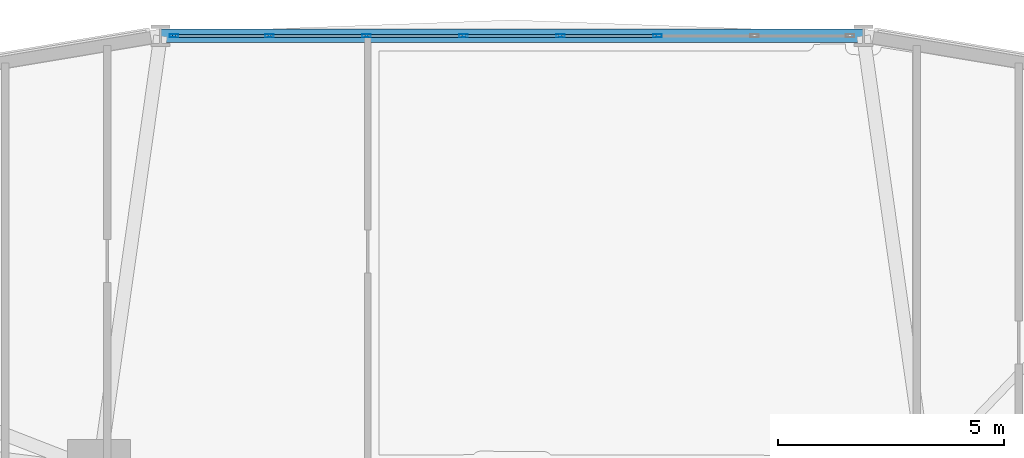
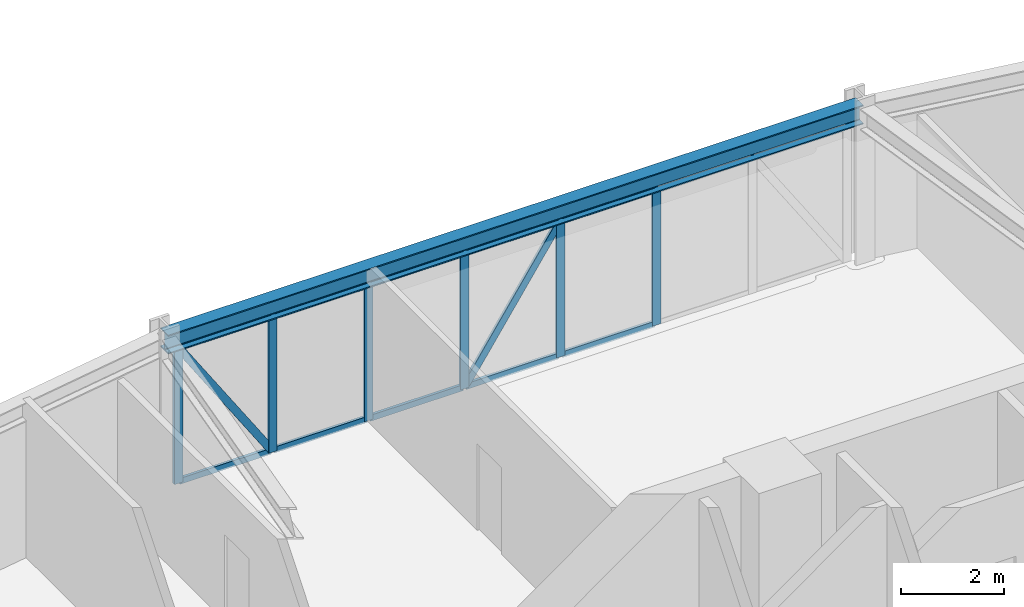
# One storey, part 12 of 22: 18 members, 1 beam, 1 element without a shape of its own.
"""IFC4 building model written with IfcOpenShell, lengths in metres."""

from ifc_helpers import new_model, si_unit, derived_unit, direction, frame, origin, origin_2d, place, context, subcontext, project, spatial, hollow_rectangle, i_section, extrude, source, transform, mapped, material, layer, layer_set, material_profile, profile_set, type_object, element, aggregate, save


model = new_model("IFC4")

# Units and contexts
model_context = context("Model", 3, precision=1e-05, world=origin(), true_north=direction((0.0, 1.0)))
body_context = subcontext(model_context, "Body", "Model", "MODEL_VIEW")
ifc_project = project(units=[si_unit("LENGTHUNIT", "METRE"), si_unit("AREAUNIT", "SQUARE_METRE"), si_unit("VOLUMEUNIT", "CUBIC_METRE"), si_unit("PLANEANGLEUNIT", "RADIAN"), si_unit("MASSUNIT", "GRAM", prefix="KILO"), derived_unit("THERMALTRANSMITTANCEUNIT", [(si_unit("POWERUNIT", "WATT"), 1), (si_unit("LENGTHUNIT", "METRE"), -2), (si_unit("THERMODYNAMICTEMPERATUREUNIT", "KELVIN"), -1)])], contexts=[model_context])

# Site, building, storey
site_placement = place(None, origin())
site = spatial("IfcSite", under=ifc_project, at=site_placement, CompositionType="ELEMENT")
building_placement = place(site_placement, origin())
building = spatial("IfcBuilding", under=site, at=building_placement, Name="Korsvarv Bourse and Concert Hall", CompositionType="ELEMENT")
storey_placement = place(building_placement, frame((0.0, 0.0, 51.300048828125)))
storey = spatial("IfcBuildingStorey", under=building, at=storey_placement, Name="L12", CompositionType="ELEMENT", Elevation=51.300048828125)

# Beam
ifc_material_1 = material(Name="Steel S355", Category="steel")
ifc_material_profile_1 = material_profile(ifc_material_1, i_section(OverallWidth=0.300048828125, OverallDepth=0.449951171875, WebThickness=0.013916015625, FlangeThickness=0.02587890625, FilletRadius=0.02099609375, at=origin_2d()), Name="HEB 450")
ifc_profile_set_1 = profile_set([ifc_material_profile_1], Name="Steel S355")
beam_type = type_object("IfcBeamType", Name="BM-HEB450", PredefinedType="SPANDREL", material=ifc_profile_set_1)
shared_shape_1 = source(origin(), body_context, "Body", "SweptSolid", [
    extrude(i_section(OverallWidth=0.300048828125, OverallDepth=0.449951171875, WebThickness=0.013916015625, FlangeThickness=0.02587890625, FilletRadius=0.02099609375, at=origin_2d()), origin(), (0.0, 0.0, 1.0), 15.5693359375),
])
beam_placement = place(storey_placement, frame((43.78466796875, 56.889404296875, 3.454833984375), z_axis=(-1.0, 0.0, 0.0), x_axis=(0.0, -1.0, 0.0)))
element("IfcBeam", 1, at=beam_placement, inside=storey, type_object=beam_type, Name="L12 beam B-08", PredefinedType="SPANDREL", context=body_context, shape_type="MappedRepresentation", body=[
    mapped(shared_shape_1, transform((0.0, 0.0, 0.0), scale=1.0)),
])

# Curtain wall, members
ifc_material_2 = material(Name="Anodised aluminium and triple low-E glazing", Category="glass")
ifc_layer = layer(ifc_material_2, 0.219970703125)
ifc_layer_set = layer_set([ifc_layer], Name="Anodised aluminium and triple low-E glazing")
curtain_wall_type = type_object("IfcCurtainWallType", Name="CW-SYS-1", PredefinedType="NOTDEFINED", material=ifc_layer_set)
curtain_wall_placement = place(storey_placement, origin())
curtain_wall = element("IfcCurtainWall", 2, at=curtain_wall_placement, inside=storey, type_object=curtain_wall_type, Name="L12 CW1 curtain wall CW-L12-F03", PredefinedType="NOTDEFINED")
ifc_material_3 = material(Name="Extruded aluminium EN AW-6063 T66", Category="aluminium")
ifc_material_profile_2 = material_profile(ifc_material_3, hollow_rectangle(XDim=0.070068359375, YDim=0.18994140625, WallThickness=0.0048828125, at=origin_2d()), Name="ALU-M 70x190")
ifc_profile_set_2 = profile_set([ifc_material_profile_2], Name="Extruded aluminium EN AW-6063 T66")
member_type_1 = type_object("IfcMemberType", Name="CWM-190", PredefinedType="MULLION", material=ifc_profile_set_2)
shared_shape_2 = source(origin(), body_context, "Body", "SweptSolid", [
    extrude(hollow_rectangle(XDim=0.070068359375, YDim=0.18994140625, WallThickness=0.0048828125, at=origin_2d()), origin(), (0.0, 0.0, 1.0), 3.22998046875),
])
member_1_placement = place(storey_placement, frame((39.22412109375, 56.889404296875, 0.0), z_axis=(0.0, 0.0, 1.0), x_axis=(0.0, -1.0, 0.0)))
member_1 = element("IfcMember", 3, at=member_1_placement, type_object=member_type_1, Name="CW1 mullion 3", PredefinedType="MULLION", context=body_context, shape_type="MappedRepresentation", body=[
    mapped(shared_shape_2, transform((0.0, 0.0, 0.0), scale=1.0)),
])
member_2_placement = place(storey_placement, frame((37.07470703125, 56.889404296875, 0.0), z_axis=(0.0, 0.0, 1.0), x_axis=(0.0, -1.0, 0.0)))
member_2 = element("IfcMember", 4, at=member_2_placement, type_object=member_type_1, Name="CW1 mullion 4", PredefinedType="MULLION", context=body_context, shape_type="MappedRepresentation", body=[
    mapped(shared_shape_2, transform((0.0, 0.0, 0.0), scale=1.0)),
])
member_3_placement = place(storey_placement, frame((34.92529296875, 56.889404296875, 0.0), z_axis=(0.0, 0.0, 1.0), x_axis=(0.0, -1.0, 0.0)))
member_3 = element("IfcMember", 5, at=member_3_placement, type_object=member_type_1, Name="CW1 mullion 5", PredefinedType="MULLION", context=body_context, shape_type="MappedRepresentation", body=[
    mapped(shared_shape_2, transform((0.0, 0.0, 0.0), scale=1.0)),
])
member_4_placement = place(storey_placement, frame((32.77587890625, 56.889404296875, 0.0), z_axis=(0.0, 0.0, 1.0), x_axis=(0.0, -1.0, 0.0)))
member_4 = element("IfcMember", 6, at=member_4_placement, type_object=member_type_1, Name="CW1 mullion 6", PredefinedType="MULLION", context=body_context, shape_type="MappedRepresentation", body=[
    mapped(shared_shape_2, transform((0.0, 0.0, 0.0), scale=1.0)),
])
member_5_placement = place(storey_placement, frame((30.626708984375, 56.889404296875, 0.0), z_axis=(0.0, 0.0, 1.0), x_axis=(0.0, -1.0, 0.0)))
member_5 = element("IfcMember", 7, at=member_5_placement, type_object=member_type_1, Name="CW1 mullion 7", PredefinedType="MULLION", context=body_context, shape_type="MappedRepresentation", body=[
    mapped(shared_shape_2, transform((0.0, 0.0, 0.0), scale=1.0)),
])
member_6_placement = place(storey_placement, frame((28.51220703125, 56.889404296875, 0.0), z_axis=(0.0, 0.0, 1.0), x_axis=(0.0, -1.0, 0.0)))
member_6 = element("IfcMember", 8, at=member_6_placement, type_object=member_type_1, Name="CW1 mullion 8", PredefinedType="MULLION", context=body_context, shape_type="MappedRepresentation", body=[
    mapped(shared_shape_2, transform((0.0, 0.0, 0.0), scale=1.0)),
])
ifc_material_profile_3 = material_profile(ifc_material_3, hollow_rectangle(XDim=0.06494140625, YDim=0.139892578125, WallThickness=0.00390625, at=origin_2d()), Name="ALU-T 65x140")
ifc_profile_set_3 = profile_set([ifc_material_profile_3], Name="Extruded aluminium EN AW-6063 T66")
member_type_2 = type_object("IfcMemberType", Name="CWT-140", PredefinedType="USERDEFINED", material=ifc_profile_set_3)
shared_shape_3 = source(origin(), body_context, "Body", "SweptSolid", [
    extrude(hollow_rectangle(XDim=0.06494140625, YDim=0.139892578125, WallThickness=0.00390625, at=origin_2d()), origin(), (0.0, 0.0, 1.0), 2.044189453125),
])
member_7_placement = place(storey_placement, frame((30.591552734375, 56.889404296875, 0.032470703125), z_axis=(-1.0, 0.0, 0.0), x_axis=(0.0, -1.0, 0.0)))
member_7 = element("IfcMember", 9, at=member_7_placement, type_object=member_type_2, Name="CW1 transom 7.1", ObjectType="TRANSOM", PredefinedType="USERDEFINED", context=body_context, shape_type="MappedRepresentation", body=[
    mapped(shared_shape_3, transform((0.0, 0.0, 0.0), scale=1.0)),
])
member_8_placement = place(storey_placement, frame((30.591552734375, 56.889404296875, 3.197509765625), z_axis=(-1.0, 0.0, 0.0), x_axis=(0.0, -1.0, 0.0)))
member_8 = element("IfcMember", 10, at=member_8_placement, type_object=member_type_2, Name="CW1 transom 7.2", ObjectType="TRANSOM", PredefinedType="USERDEFINED", context=body_context, shape_type="MappedRepresentation", body=[
    mapped(shared_shape_3, transform((0.0, 0.0, 0.0), scale=1.0)),
])
shared_shape_4 = source(origin(), body_context, "Body", "SweptSolid", [
    extrude(hollow_rectangle(XDim=0.06494140625, YDim=0.139892578125, WallThickness=0.00390625, at=origin_2d()), origin(), (0.0, 0.0, 1.0), 2.079345703125),
])
member_9_placement = place(storey_placement, frame((39.18896484375, 56.889404296875, 0.032470703125), z_axis=(-1.0, 0.0, 0.0), x_axis=(0.0, -1.0, 0.0)))
member_9 = element("IfcMember", 11, at=member_9_placement, type_object=member_type_2, Name="CW1 transom 3.1", ObjectType="TRANSOM", PredefinedType="USERDEFINED", context=body_context, shape_type="MappedRepresentation", body=[
    mapped(shared_shape_4, transform((0.0, 0.0, 0.0), scale=1.0)),
])
member_10_placement = place(storey_placement, frame((39.18896484375, 56.889404296875, 3.197509765625), z_axis=(-1.0, 0.0, 0.0), x_axis=(0.0, -1.0, 0.0)))
member_10 = element("IfcMember", 12, at=member_10_placement, type_object=member_type_2, Name="CW1 transom 3.2", ObjectType="TRANSOM", PredefinedType="USERDEFINED", context=body_context, shape_type="MappedRepresentation", body=[
    mapped(shared_shape_4, transform((0.0, 0.0, 0.0), scale=1.0)),
])
member_11_placement = place(storey_placement, frame((34.890380859375, 56.889404296875, 0.032470703125), z_axis=(-1.0, 0.0, 0.0), x_axis=(0.0, -1.0, 0.0)))
member_11 = element("IfcMember", 13, at=member_11_placement, type_object=member_type_2, Name="CW1 transom 5.1", ObjectType="TRANSOM", PredefinedType="USERDEFINED", context=body_context, shape_type="MappedRepresentation", body=[
    mapped(shared_shape_4, transform((0.0, 0.0, 0.0), scale=1.0)),
])
member_12_placement = place(storey_placement, frame((34.890380859375, 56.889404296875, 3.197509765625), z_axis=(-1.0, 0.0, 0.0), x_axis=(0.0, -1.0, 0.0)))
member_12 = element("IfcMember", 14, at=member_12_placement, type_object=member_type_2, Name="CW1 transom 5.2", ObjectType="TRANSOM", PredefinedType="USERDEFINED", context=body_context, shape_type="MappedRepresentation", body=[
    mapped(shared_shape_4, transform((0.0, 0.0, 0.0), scale=1.0)),
])
member_13_placement = place(storey_placement, frame((32.740966796875, 56.889404296875, 0.032470703125), z_axis=(-1.0, 0.0, 0.0), x_axis=(0.0, -1.0, 0.0)))
member_13 = element("IfcMember", 15, at=member_13_placement, type_object=member_type_2, Name="CW1 transom 6.1", ObjectType="TRANSOM", PredefinedType="USERDEFINED", context=body_context, shape_type="MappedRepresentation", body=[
    mapped(shared_shape_4, transform((0.0, 0.0, 0.0), scale=1.0)),
])
member_14_placement = place(storey_placement, frame((32.740966796875, 56.889404296875, 3.197509765625), z_axis=(-1.0, 0.0, 0.0), x_axis=(0.0, -1.0, 0.0)))
member_14 = element("IfcMember", 16, at=member_14_placement, type_object=member_type_2, Name="CW1 transom 6.2", ObjectType="TRANSOM", PredefinedType="USERDEFINED", context=body_context, shape_type="MappedRepresentation", body=[
    mapped(shared_shape_4, transform((0.0, 0.0, 0.0), scale=1.0)),
])
shared_shape_5 = source(origin(), body_context, "Body", "SweptSolid", [
    extrude(hollow_rectangle(XDim=0.06494140625, YDim=0.139892578125, WallThickness=0.00390625, at=origin_2d()), origin(), (0.0, 0.0, 1.0), 2.0791015625),
])
member_15_placement = place(storey_placement, frame((37.03955078125, 56.889404296875, 0.032470703125), z_axis=(-1.0, 0.0, 0.0), x_axis=(0.0, -1.0, 0.0)))
member_15 = element("IfcMember", 17, at=member_15_placement, type_object=member_type_2, Name="CW1 transom 4.1", ObjectType="TRANSOM", PredefinedType="USERDEFINED", context=body_context, shape_type="MappedRepresentation", body=[
    mapped(shared_shape_5, transform((0.0, 0.0, 0.0), scale=1.0)),
])
member_16_placement = place(storey_placement, frame((37.03955078125, 56.889404296875, 3.197509765625), z_axis=(-1.0, 0.0, 0.0), x_axis=(0.0, -1.0, 0.0)))
member_16 = element("IfcMember", 18, at=member_16_placement, type_object=member_type_2, Name="CW1 transom 4.2", ObjectType="TRANSOM", PredefinedType="USERDEFINED", context=body_context, shape_type="MappedRepresentation", body=[
    mapped(shared_shape_5, transform((0.0, 0.0, 0.0), scale=1.0)),
])
ifc_material_profile_4 = material_profile(ifc_material_3, hollow_rectangle(XDim=0.06494140625, YDim=0.1650390625, WallThickness=0.0048828125, at=origin_2d()), Name="ALU-M 65x165")
ifc_profile_set_4 = profile_set([ifc_material_profile_4], Name="Extruded aluminium EN AW-6063 T66")
member_type_3 = type_object("IfcMemberType", Name="CWM-165", PredefinedType="MULLION", material=ifc_profile_set_4)
shared_shape_6 = source(origin(), body_context, "Body", "SweptSolid", [
    extrude(hollow_rectangle(XDim=0.06494140625, YDim=0.1650390625, WallThickness=0.0048828125, at=origin_2d()), origin(), (0.0, 0.0, 1.0), 3.71337890625),
])
member_17_placement = place(storey_placement, frame((30.591552734375, 56.889404296875, 0.06494140625), z_axis=(-0.550490439907, 0.0, 0.834841467328), x_axis=(0.0, -1.0, 0.0)))
member_17 = element("IfcMember", 19, at=member_17_placement, type_object=member_type_3, Name="CW1 diagonal mullion 7", PredefinedType="MULLION", context=body_context, shape_type="MappedRepresentation", body=[
    mapped(shared_shape_6, transform((0.0, 0.0, 0.0), scale=1.0)),
])
shared_shape_7 = source(origin(), body_context, "Body", "SweptSolid", [
    extrude(hollow_rectangle(XDim=0.06494140625, YDim=0.1650390625, WallThickness=0.0048828125, at=origin_2d()), origin(), (0.0, 0.0, 1.0), 3.732666015625),
])
member_18_placement = place(storey_placement, frame((34.96044921875, 56.889404296875, 0.06494140625), z_axis=(0.556992307456, 0.0, 0.830517651489), x_axis=(0.0, 1.0, 0.0)))
member_18 = element("IfcMember", 20, at=member_18_placement, type_object=member_type_3, Name="CW1 diagonal mullion 4", PredefinedType="MULLION", context=body_context, shape_type="MappedRepresentation", body=[
    mapped(shared_shape_7, transform((0.0, 0.0, 0.0), scale=1.0)),
])
aggregate(curtain_wall, [member_1, member_2, member_3, member_4, member_5, member_6, member_9, member_10, member_15, member_16, member_18, member_11, member_12, member_13, member_14, member_7, member_8, member_17])

save(model, "model.ifc")
